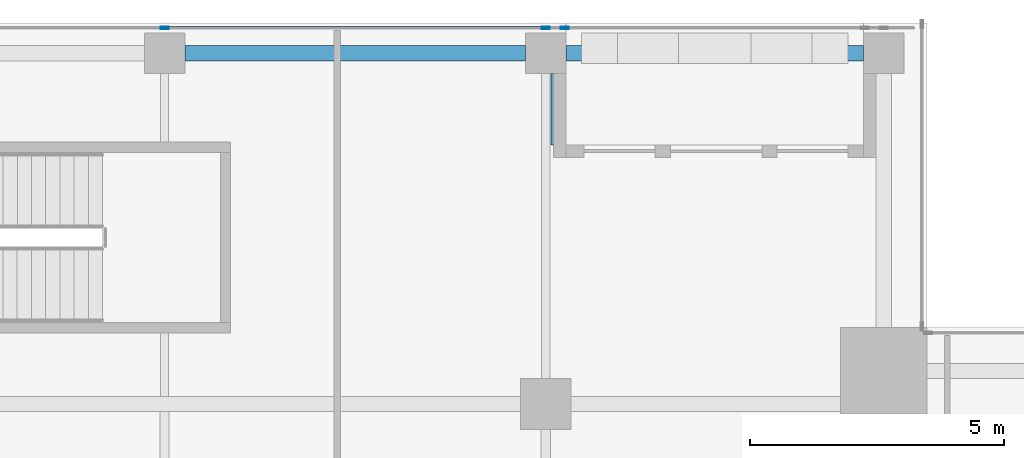
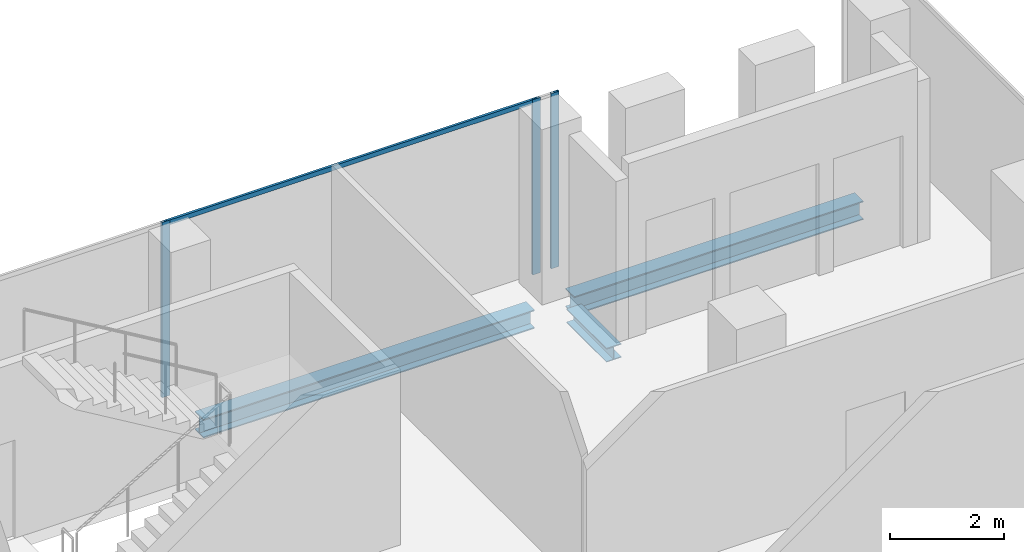
# One storey, part 15 of 28: 4 members, 3 beams, 1 element without a shape of its own.
"""IFC4 building model written with IfcOpenShell, lengths in metres."""

from ifc_helpers import new_model, si_unit, direction, frame, origin, origin_2d, place, context, subcontext, project, spatial, hollow_rectangle, i_section, extrude, source, transform, mapped, material, material_profile, profile_set, type_object, element, aggregate, save


model = new_model("IFC4")

# Units and contexts
model_context = context("Model", 3, precision=1e-05, world=origin(), true_north=direction((0.0, 1.0)))
body_context = subcontext(model_context, "Body", "Model", "MODEL_VIEW")
ifc_project = project(units=[si_unit("LENGTHUNIT", "METRE"), si_unit("AREAUNIT", "SQUARE_METRE"), si_unit("VOLUMEUNIT", "CUBIC_METRE"), si_unit("PLANEANGLEUNIT", "RADIAN"), si_unit("MASSUNIT", "GRAM", prefix="KILO")], contexts=[model_context])

# Site, building, storey
site_placement = place(None, origin())
site = spatial("IfcSite", under=ifc_project, at=site_placement, CompositionType="ELEMENT")
building_placement = place(site_placement, origin())
building = spatial("IfcBuilding", under=site, at=building_placement, Name="Khomas Fold Tower", CompositionType="ELEMENT")
storey_placement = place(building_placement, frame((0.0, 0.0, 302.199951171875)))
storey = spatial("IfcBuildingStorey", under=building, at=storey_placement, Name="L68", CompositionType="ELEMENT", Elevation=302.199951171875)

# Beams
ifc_material_1 = material(Name="Steel S355", Category="steel")
ifc_material_profile_1 = material_profile(ifc_material_1, i_section(OverallWidth=0.300048828125, OverallDepth=0.39990234375, WebThickness=0.013427734375, FlangeThickness=0.02392578125, at=origin_2d()), Name="HE 400 B")
ifc_profile_set_1 = profile_set([ifc_material_profile_1], Name="Steel S355")
beam_type_1 = type_object("IfcBeamType", Name="HE 400 B spandrel SB5", PredefinedType="SPANDREL", material=ifc_profile_set_1)
shared_shape_1 = source(origin(), body_context, "Body", "SweptSolid", [
    extrude(i_section(OverallWidth=0.300048828125, OverallDepth=0.39990234375, WebThickness=0.013427734375, FlangeThickness=0.02392578125, at=origin_2d()), origin(), (0.0, 0.0, 1.0), 5.85009765625),
])
beam_1_placement = place(storey_placement, frame((34.89990234375, 47.39990234375, -0.449951171875), z_axis=(1.0, 0.0, 0.0), x_axis=(0.0, 1.0, 0.0)))
element("IfcBeam", 1, at=beam_1_placement, inside=storey, type_object=beam_type_1, Name="SB5", PredefinedType="SPANDREL", context=body_context, shape_type="MappedRepresentation", body=[
    mapped(shared_shape_1, transform((0.0, 0.0, 0.0))),
])
shared_shape_2 = source(origin(), body_context, "Body", "SweptSolid", [
    extrude(i_section(OverallWidth=0.300048828125, OverallDepth=0.39990234375, WebThickness=0.013427734375, FlangeThickness=0.02392578125, at=origin_2d()), origin(), (0.0, 0.0, 1.0), 6.7001953125),
])
beam_2_placement = place(storey_placement, frame((27.39990234375, 47.39990234375, -0.449951171875), z_axis=(1.0, 0.0, 0.0), x_axis=(0.0, 1.0, 0.0)))
element("IfcBeam", 2, at=beam_2_placement, inside=storey, type_object=beam_type_1, Name="SB5", PredefinedType="SPANDREL", context=body_context, shape_type="MappedRepresentation", body=[
    mapped(shared_shape_2, transform((0.0, 0.0, 0.0))),
])
ifc_material_2 = material(Name="Steel S355", Category="steel")
ifc_material_profile_2 = material_profile(ifc_material_2, i_section(OverallWidth=0.300048828125, OverallDepth=0.300048828125, WebThickness=0.010986328125, FlangeThickness=0.01904296875, at=origin_2d()), Name="HE 300 B")
ifc_profile_set_2 = profile_set([ifc_material_profile_2], Name="Steel S355")
beam_type_2 = type_object("IfcBeamType", Name="HE 300 B beam BB1", PredefinedType="BEAM", material=ifc_profile_set_2)
shared_shape_3 = source(origin(), body_context, "Body", "SweptSolid", [
    extrude(i_section(OverallWidth=0.300048828125, OverallDepth=0.300048828125, WebThickness=0.010986328125, FlangeThickness=0.01904296875, at=origin_2d()), origin(), (0.0, 0.0, 1.0), 1.39990234375),
])
beam_3_placement = place(storey_placement, frame((34.75, 45.60009765625, -0.39990234375), z_axis=(0.0, 1.0, 0.0), x_axis=(-1.0, 0.0, 0.0)))
element("IfcBeam", 3, at=beam_3_placement, inside=storey, type_object=beam_type_2, Name="BB1", PredefinedType="BEAM", context=body_context, shape_type="MappedRepresentation", body=[
    mapped(shared_shape_3, transform((0.0, 0.0, 0.0))),
])

# Curtain wall, members
ifc_material_3 = material(Name="Aluminium framed double glazing", Category="aluminium")
curtain_wall_type = type_object("IfcCurtainWallType", Name="SK-Unitised clear-glass wall, upper floors CW3", PredefinedType="NOTDEFINED", material=ifc_material_3)
curtain_wall_placement = place(storey_placement, origin())
curtain_wall = element("IfcCurtainWall", 4, at=curtain_wall_placement, inside=storey, type_object=curtain_wall_type, Name="CW3 run L68 06-1", PredefinedType="NOTDEFINED")
ifc_material_4 = material(Name="Aluminium", Category="aluminium")
ifc_material_profile_3 = material_profile(ifc_material_4, hollow_rectangle(XDim=0.050048828125, YDim=0.159912109375, WallThickness=0.00390625, at=origin_2d()), Name="SK-Unitised clear-glass wall, upper floors mullion CW3-M")
ifc_profile_set_3 = profile_set([ifc_material_profile_3], Name="Aluminium")
member_type_1 = type_object("IfcMemberType", Name="SK-Unitised clear-glass wall, upper floors mullion CW3-M", PredefinedType="MULLION", material=ifc_profile_set_3)
shared_shape_4 = source(origin(), body_context, "Body", "SweptSolid", [
    extrude(hollow_rectangle(XDim=0.050048828125, YDim=0.159912109375, WallThickness=0.00390625, at=origin_2d()), origin(), (0.0, 0.0, 1.0), 3.75),
])
member_1_placement = place(storey_placement, frame((34.875, 47.89990234375, 0.0), z_axis=(0.0, 0.0, 1.0), x_axis=(0.0, -1.0, 0.0)))
member_1 = element("IfcMember", 5, at=member_1_placement, type_object=member_type_1, Name="CW3 mullion 1", PredefinedType="MULLION", context=body_context, shape_type="MappedRepresentation", body=[
    mapped(shared_shape_4, transform((0.0, 0.0, 0.0))),
])
member_2_placement = place(storey_placement, frame((34.5, 47.89990234375, 0.0), z_axis=(0.0, 0.0, 1.0), x_axis=(0.0, -1.0, 0.0)))
member_2 = element("IfcMember", 6, at=member_2_placement, type_object=member_type_1, Name="CW3 mullion 2", PredefinedType="MULLION", context=body_context, shape_type="MappedRepresentation", body=[
    mapped(shared_shape_4, transform((0.0, 0.0, 0.0))),
])
member_3_placement = place(storey_placement, frame((27.0, 47.89990234375, 0.0), z_axis=(0.0, 0.0, 1.0), x_axis=(0.0, -1.0, 0.0)))
member_3 = element("IfcMember", 7, at=member_3_placement, type_object=member_type_1, Name="CW3 mullion 3", PredefinedType="MULLION", context=body_context, shape_type="MappedRepresentation", body=[
    mapped(shared_shape_4, transform((0.0, 0.0, 0.0))),
])
ifc_material_5 = material(Name="Aluminium", Category="aluminium")
ifc_material_profile_4 = material_profile(ifc_material_5, hollow_rectangle(XDim=0.050048828125, YDim=0.10009765625, WallThickness=0.00390625, at=origin_2d()), Name="SK-Unitised clear-glass wall, upper floors transom CW3-T")
ifc_profile_set_4 = profile_set([ifc_material_profile_4], Name="Aluminium")
member_type_2 = type_object("IfcMemberType", Name="SK-Unitised clear-glass wall, upper floors transom CW3-T", PredefinedType="USERDEFINED", material=ifc_profile_set_4)
shared_shape_5 = source(origin(), body_context, "Body", "SweptSolid", [
    extrude(hollow_rectangle(XDim=0.050048828125, YDim=0.10009765625, WallThickness=0.00390625, at=origin_2d()), origin(), (0.0, 0.0, 1.0), 7.4501953125),
])
member_4_placement = place(storey_placement, frame((34.47509765625, 47.89990234375, 3.699951171875), z_axis=(-1.0, 0.0, 0.0), x_axis=(0.0, -1.0, 0.0)))
member_4 = element("IfcMember", 8, at=member_4_placement, type_object=member_type_2, Name="CW3 transom 2", ObjectType="TRANSOM", PredefinedType="USERDEFINED", context=body_context, shape_type="MappedRepresentation", body=[
    mapped(shared_shape_5, transform((0.0, 0.0, 0.0))),
])
aggregate(curtain_wall, [member_1, member_2, member_3, member_4])

save(model, "model.ifc")
